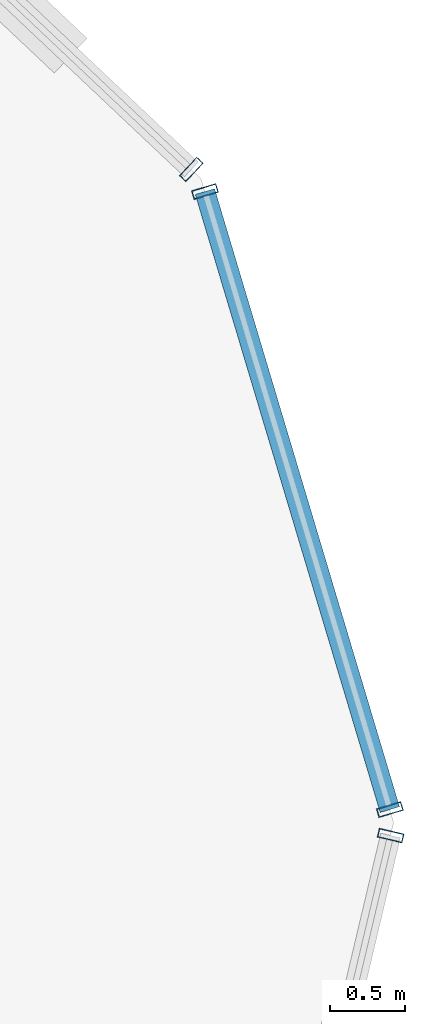
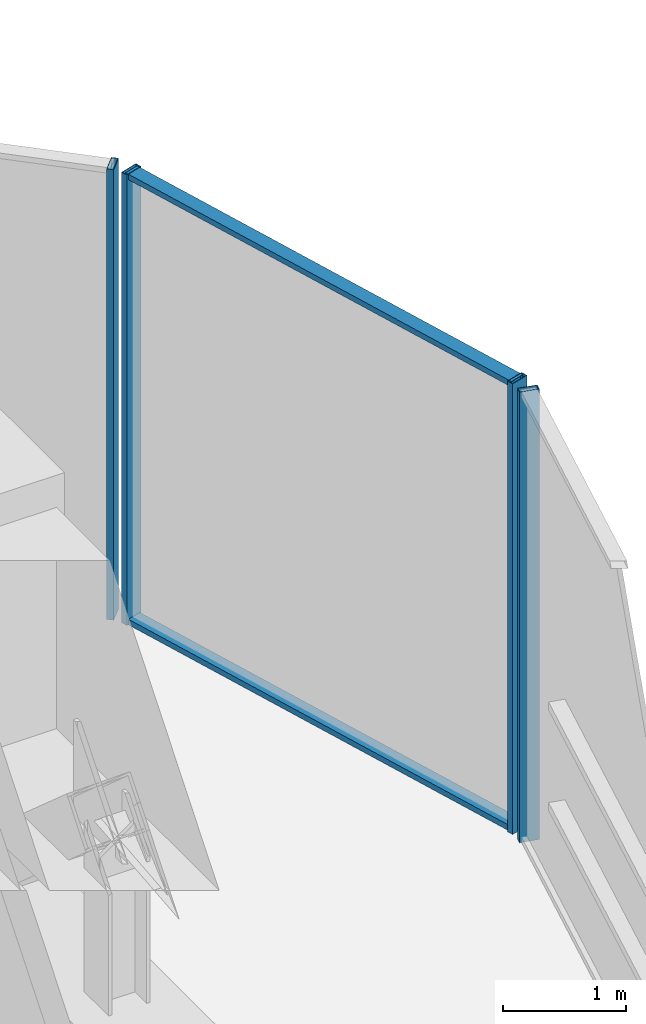
# One storey, part 22 of 41: 6 members, 3 elements without a shape of their own.
"""IFC4 building model written with IfcOpenShell, lengths in metres."""

from ifc_helpers import new_model, si_unit, direction, frame, origin, origin_2d, place, context, subcontext, project, spatial, hollow_rectangle, extrude, source, transform, mapped, material, layer, layer_set, material_profile, profile_set, type_object, element, aggregate, save


model = new_model("IFC4")

# Units and contexts
model_context = context("Model", 3, precision=1e-05, world=origin(), true_north=direction((0.0, 1.0)))
body_context = subcontext(model_context, "Body", "Model", "MODEL_VIEW")
ifc_project = project(units=[si_unit("LENGTHUNIT", "METRE"), si_unit("AREAUNIT", "SQUARE_METRE"), si_unit("VOLUMEUNIT", "CUBIC_METRE"), si_unit("PLANEANGLEUNIT", "RADIAN"), si_unit("MASSUNIT", "GRAM", prefix="KILO")], contexts=[model_context])

# Site, building, storey
site_placement = place(None, origin())
site = spatial("IfcSite", under=ifc_project, at=site_placement, CompositionType="ELEMENT")
building_placement = place(site_placement, origin())
building = spatial("IfcBuilding", under=site, at=building_placement, Name="Veraguas Prism Commons", CompositionType="ELEMENT")
storey_placement = place(building_placement, frame((0.0, 0.0, 80.35009765625)))
storey = spatial("IfcBuildingStorey", under=building, at=storey_placement, Name="L22", CompositionType="ELEMENT", Elevation=80.35009765625)

# Curtain wall, members
ifc_material = material(Name="Anodised aluminium EN AW-6063 T6", Category="aluminium")
ifc_layer = layer(ifc_material, 0.169921875, Name="Unitised Flush Curtain Wall Zone 1", Category="aluminium")
ifc_layer_set = layer_set([ifc_layer], Name="Anodised aluminium EN AW-6063 T6")
curtain_wall_type = type_object("IfcCurtainWallType", Name="Unitised Flush Curtain Wall Zone 1", PredefinedType="NOTDEFINED", material=ifc_layer_set)
curtain_wall_1_placement = place(storey_placement, origin())
curtain_wall_1 = element("IfcCurtainWall", 1, at=curtain_wall_1_placement, inside=storey, type_object=curtain_wall_type, Name="Chamfer Curtain Wall L22-C1", PredefinedType="NOTDEFINED")
ifc_material_profile_1 = material_profile(ifc_material, hollow_rectangle(XDim=0.054931640625, YDim=0.135009765625, WallThickness=0.0029296875, at=origin_2d()), Name="AL55X135X3")
ifc_profile_set_1 = profile_set([ifc_material_profile_1], Name="Anodised aluminium EN AW-6063 T6")
member_type_1 = type_object("IfcMemberType", Name="Curtain Wall Transom Standard AL 55x135x3", PredefinedType="USERDEFINED", material=ifc_profile_set_1)
shared_shape_1 = source(origin(), body_context, "Body", "SweptSolid", [
    extrude(hollow_rectangle(XDim=0.054931640625, YDim=0.135009765625, WallThickness=0.0029296875, at=origin_2d()), origin(), (0.0, 0.0, 1.0), 4.320068359375),
])
member_1_placement = place(storey_placement, frame((46.3671875, 28.438720703125, 0.02734375), z_axis=(-0.286642669884, 0.95803756701, 0.0), x_axis=(0.0, 0.0, 1.0)))
member_1 = element("IfcMember", 2, at=member_1_placement, type_object=member_type_1, Name="CW-Z1 Transom 1", ObjectType="TRANSOM", PredefinedType="USERDEFINED", context=body_context, shape_type="MappedRepresentation", body=[
    mapped(shared_shape_1, transform((0.0, 0.0, 0.0), scale=1.0)),
])
member_2_placement = place(storey_placement, frame((46.3671875, 28.438720703125, 4.452392578125), z_axis=(-0.286642669884, 0.95803756701, 0.0), x_axis=(0.0, 0.0, 1.0)))
member_2 = element("IfcMember", 3, at=member_2_placement, type_object=member_type_1, Name="CW-Z1 Transom 2", ObjectType="TRANSOM", PredefinedType="USERDEFINED", context=body_context, shape_type="MappedRepresentation", body=[
    mapped(shared_shape_1, transform((0.0, 0.0, 0.0), scale=1.0)),
])

# Curtain wall, member
curtain_wall_2_placement = place(storey_placement, origin())
curtain_wall_2 = element("IfcCurtainWall", 4, at=curtain_wall_2_placement, inside=storey, type_object=curtain_wall_type, Name="Tower Facade Curtain Wall L22-F1", PredefinedType="NOTDEFINED")
ifc_material_profile_2 = material_profile(ifc_material, hollow_rectangle(XDim=0.06005859375, YDim=0.169921875, WallThickness=0.00390625, at=origin_2d()), Name="AL60X170X4")
ifc_profile_set_2 = profile_set([ifc_material_profile_2], Name="Anodised aluminium EN AW-6063 T6")
member_type_2 = type_object("IfcMemberType", Name="Curtain Wall Mullion Lower AL 60x170x4", PredefinedType="MULLION", material=ifc_profile_set_2)
shared_shape_2 = source(origin(), body_context, "Body", "SweptSolid", [
    extrude(hollow_rectangle(XDim=0.06005859375, YDim=0.169921875, WallThickness=0.00390625, at=origin_2d()), origin(), (0.0, 0.0, 1.0), 4.47998046875),
])
member_3_placement = place(storey_placement, frame((45.03759765625, 32.7255859375, 0.0), z_axis=(0.0, 0.0, 1.0), x_axis=(-0.727294986673, 0.686324997621, 0.0)))
member_3 = element("IfcMember", 5, at=member_3_placement, type_object=member_type_2, Name="CW-Z1 Mullion 1", PredefinedType="MULLION", context=body_context, shape_type="MappedRepresentation", body=[
    mapped(shared_shape_2, transform((0.0, 0.0, 0.0), scale=1.0)),
])
aggregate(curtain_wall_2, [member_3])

curtain_wall_3_placement = place(storey_placement, origin())
curtain_wall_3 = element("IfcCurtainWall", 6, at=curtain_wall_3_placement, inside=storey, type_object=curtain_wall_type, Name="Tower Facade Curtain Wall L22-F6", PredefinedType="NOTDEFINED")
member_4_placement = place(storey_placement, frame((46.372314453125, 28.264892578125, 0.0), z_axis=(0.0, 0.0, 1.0), x_axis=(0.2307341828, 0.97301682251, 0.0)))
member_4 = element("IfcMember", 7, at=member_4_placement, type_object=member_type_2, Name="CW-Z1 Mullion 5", PredefinedType="MULLION", context=body_context, shape_type="MappedRepresentation", body=[
    mapped(shared_shape_2, transform((0.0, 0.0, 0.0), scale=1.0)),
])
aggregate(curtain_wall_3, [member_4])

# Member
member_5_placement = place(storey_placement, frame((46.3671875, 28.438720703125, 0.0), z_axis=(0.0, 0.0, 1.0), x_axis=(-0.286691763629, 0.958022876902, 0.0)))
member_5 = element("IfcMember", 8, at=member_5_placement, type_object=member_type_2, Name="CW-Z1 Mullion 1", PredefinedType="MULLION", context=body_context, shape_type="MappedRepresentation", body=[
    mapped(shared_shape_2, transform((0.0, 0.0, 0.0), scale=1.0)),
])

member_6_placement = place(storey_placement, frame((45.12890625, 32.577392578125, 0.0), z_axis=(0.0, 0.0, 1.0), x_axis=(-0.286691763629, 0.958022876902, 0.0)))
member_6 = element("IfcMember", 9, at=member_6_placement, type_object=member_type_2, Name="CW-Z1 Mullion 2", PredefinedType="MULLION", context=body_context, shape_type="MappedRepresentation", body=[
    mapped(shared_shape_2, transform((0.0, 0.0, 0.0), scale=1.0)),
])

aggregate(curtain_wall_1, [member_5, member_6, member_1, member_2])

save(model, "model.ifc")
